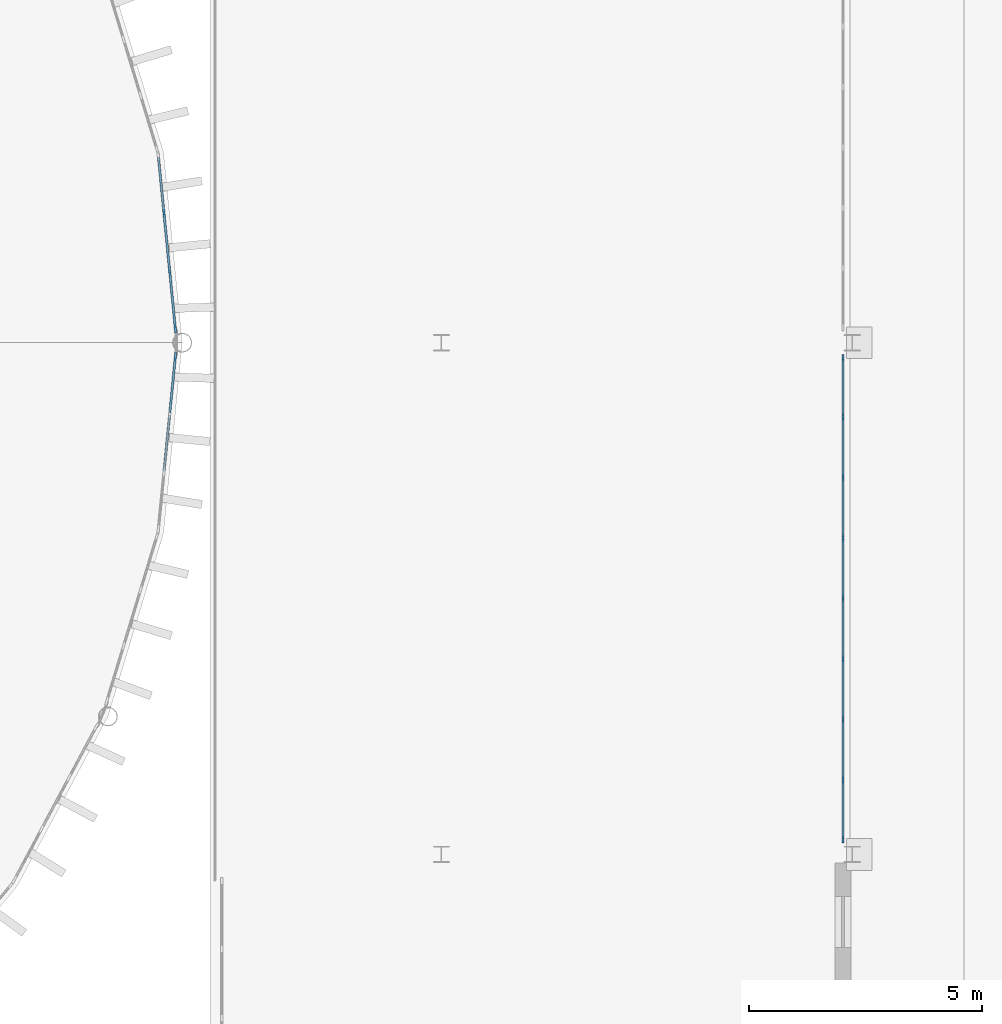
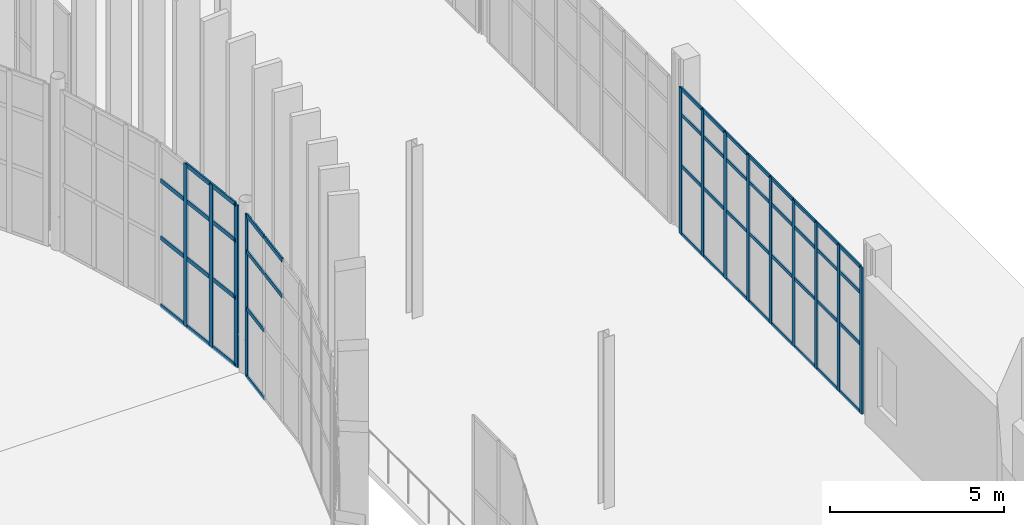
# One storey, part 58 of 139: 62 members, 3 elements without a shape of their own.
"""IFC4 building model written with IfcOpenShell, lengths in metres."""

from ifc_helpers import new_model, si_unit, direction, frame, origin, origin_2d, place, context, subcontext, project, spatial, rectangle, extrude, material, layer, layer_set, material_profile, profile_set, type_object, element, aggregate, save


model = new_model("IFC4")

# Units and contexts
model_context = context("Model", 3, precision=1e-05, world=origin(), true_north=direction((0.0, 1.0)))
body_context = subcontext(model_context, "Body", "Model", "MODEL_VIEW")
ifc_project = project(units=[si_unit("LENGTHUNIT", "METRE"), si_unit("AREAUNIT", "SQUARE_METRE"), si_unit("VOLUMEUNIT", "CUBIC_METRE"), si_unit("PLANEANGLEUNIT", "RADIAN"), si_unit("MASSUNIT", "GRAM", prefix="KILO")], contexts=[model_context])

# Site, building, storey
site_placement = place(None, origin())
site = spatial("IfcSite", under=ifc_project, at=site_placement, CompositionType="ELEMENT")
building_placement = place(site_placement, origin())
building = spatial("IfcBuilding", under=site, at=building_placement, Name="Yeouljin Market Hall", CompositionType="ELEMENT")
storey_placement = place(building_placement, origin())
storey = spatial("IfcBuildingStorey", under=building, at=storey_placement, Name="L00", CompositionType="ELEMENT", Elevation=0.0)

# Curtain wall, members
ifc_material_1 = material(Name="Thermally Broken Aluminium", Category="aluminium")
ifc_layer_1 = layer(ifc_material_1, 0.14990234375)
ifc_layer_set_1 = layer_set([ifc_layer_1], Name="Thermally Broken Aluminium")
curtain_wall_type_1 = type_object("IfcCurtainWallType", Name="CW_WingStorefront_System", PredefinedType="USERDEFINED", material=ifc_layer_set_1)
curtain_wall_1_placement = place(storey_placement, origin())
curtain_wall_1 = element("IfcCurtainWall", 1, at=curtain_wall_1_placement, inside=storey, type_object=curtain_wall_type_1, Name="Curtain wall CW-V3E-L00-4", ObjectType="CURTAIN WALL", PredefinedType="USERDEFINED")
ifc_material_2 = material(Name="Thermally Broken Aluminium", Category="aluminium")
ifc_material_profile_1 = material_profile(ifc_material_2, rectangle(XDim=0.048095703125, YDim=0.14990234375, at=origin_2d()), Name="CW-MULL-48x150")
ifc_profile_set_1 = profile_set([ifc_material_profile_1], Name="Thermally Broken Aluminium")
member_type_1 = type_object("IfcMemberType", Name="CWMullion_48x150", PredefinedType="MULLION", material=ifc_profile_set_1)
member_1_placement = place(storey_placement, frame((176.199951171875, 56.676025390625, 0.0), z_axis=(0.0, 0.0, 1.0), x_axis=(1.0, 0.0, 0.0)))
member_1 = element("IfcMember", 2, at=member_1_placement, type_object=member_type_1, Name="CW-04 mullion 1", PredefinedType="MULLION", context=body_context, shape_type="SweptSolid", body=[
    extrude(rectangle(XDim=0.048095703125, YDim=0.14990234375, at=origin_2d()), origin(), (0.0, 0.0, 1.0), 5.1201171875),
])
member_2_placement = place(storey_placement, frame((176.199951171875, 55.39990234375, 0.0), z_axis=(0.0, 0.0, 1.0), x_axis=(1.0, 0.0, 0.0)))
member_2 = element("IfcMember", 3, at=member_2_placement, type_object=member_type_1, Name="CW-04 mullion 2", PredefinedType="MULLION", context=body_context, shape_type="SweptSolid", body=[
    extrude(rectangle(XDim=0.048095703125, YDim=0.14990234375, at=origin_2d()), origin(), (0.0, 0.0, 1.0), 5.1201171875),
])
member_3_placement = place(storey_placement, frame((176.199951171875, 54.10009765625, 0.0), z_axis=(0.0, 0.0, 1.0), x_axis=(1.0, 0.0, 0.0)))
member_3 = element("IfcMember", 4, at=member_3_placement, type_object=member_type_1, Name="CW-04 mullion 3", PredefinedType="MULLION", context=body_context, shape_type="SweptSolid", body=[
    extrude(rectangle(XDim=0.048095703125, YDim=0.14990234375, at=origin_2d()), origin(), (0.0, 0.0, 1.0), 5.1201171875),
])
member_4_placement = place(storey_placement, frame((176.199951171875, 52.800048828125, 0.0), z_axis=(0.0, 0.0, 1.0), x_axis=(1.0, 0.0, 0.0)))
member_4 = element("IfcMember", 5, at=member_4_placement, type_object=member_type_1, Name="CW-04 mullion 4", PredefinedType="MULLION", context=body_context, shape_type="SweptSolid", body=[
    extrude(rectangle(XDim=0.048095703125, YDim=0.14990234375, at=origin_2d()), origin(), (0.0, 0.0, 1.0), 5.1201171875),
])
member_5_placement = place(storey_placement, frame((176.199951171875, 51.5, 0.0), z_axis=(0.0, 0.0, 1.0), x_axis=(1.0, 0.0, 0.0)))
member_5 = element("IfcMember", 6, at=member_5_placement, type_object=member_type_1, Name="CW-04 mullion 5", PredefinedType="MULLION", context=body_context, shape_type="SweptSolid", body=[
    extrude(rectangle(XDim=0.048095703125, YDim=0.14990234375, at=origin_2d()), origin(), (0.0, 0.0, 1.0), 5.1201171875),
])
member_6_placement = place(storey_placement, frame((176.199951171875, 50.199951171875, 0.0), z_axis=(0.0, 0.0, 1.0), x_axis=(1.0, 0.0, 0.0)))
member_6 = element("IfcMember", 7, at=member_6_placement, type_object=member_type_1, Name="CW-04 mullion 6", PredefinedType="MULLION", context=body_context, shape_type="SweptSolid", body=[
    extrude(rectangle(XDim=0.048095703125, YDim=0.14990234375, at=origin_2d()), origin(), (0.0, 0.0, 1.0), 5.1201171875),
])
member_7_placement = place(storey_placement, frame((176.199951171875, 48.89990234375, 0.0), z_axis=(0.0, 0.0, 1.0), x_axis=(1.0, 0.0, 0.0)))
member_7 = element("IfcMember", 8, at=member_7_placement, type_object=member_type_1, Name="CW-04 mullion 7", PredefinedType="MULLION", context=body_context, shape_type="SweptSolid", body=[
    extrude(rectangle(XDim=0.048095703125, YDim=0.14990234375, at=origin_2d()), origin(), (0.0, 0.0, 1.0), 5.1201171875),
])
member_8_placement = place(storey_placement, frame((176.199951171875, 47.60009765625, 0.0), z_axis=(0.0, 0.0, 1.0), x_axis=(1.0, 0.0, 0.0)))
member_8 = element("IfcMember", 9, at=member_8_placement, type_object=member_type_1, Name="CW-04 mullion 8", PredefinedType="MULLION", context=body_context, shape_type="SweptSolid", body=[
    extrude(rectangle(XDim=0.048095703125, YDim=0.14990234375, at=origin_2d()), origin(), (0.0, 0.0, 1.0), 5.1201171875),
])
member_9_placement = place(storey_placement, frame((176.199951171875, 46.323974609375, 0.0), z_axis=(0.0, 0.0, 1.0), x_axis=(1.0, 0.0, 0.0)))
member_9 = element("IfcMember", 10, at=member_9_placement, type_object=member_type_1, Name="CW-04 mullion 9", PredefinedType="MULLION", context=body_context, shape_type="SweptSolid", body=[
    extrude(rectangle(XDim=0.048095703125, YDim=0.14990234375, at=origin_2d()), origin(), (0.0, 0.0, 1.0), 5.1201171875),
])

# Curtain wall, member
ifc_material_3 = material(Name="Thermally Broken Aluminium", Category="aluminium")
ifc_layer_2 = layer(ifc_material_3, 0.179931640625)
ifc_layer_set_2 = layer_set([ifc_layer_2], Name="Thermally Broken Aluminium")
curtain_wall_type_2 = type_object("IfcCurtainWallType", Name="CW_ApseCurved_System", PredefinedType="USERDEFINED", material=ifc_layer_set_2)
curtain_wall_2_placement = place(storey_placement, origin())
curtain_wall_2 = element("IfcCurtainWall", 11, at=curtain_wall_2_placement, inside=storey, type_object=curtain_wall_type_2, Name="Curtain wall CW-AP-EL00-08", ObjectType="CURTAIN WALL", PredefinedType="USERDEFINED")
ifc_material_4 = material(Name="Thermally Broken Aluminium", Category="aluminium")
ifc_material_profile_2 = material_profile(ifc_material_4, rectangle(XDim=0.048095703125, YDim=0.179931640625, at=origin_2d()), Name="CW-MULL-48x180")
ifc_profile_set_2 = profile_set([ifc_material_profile_2], Name="Thermally Broken Aluminium")
member_type_2 = type_object("IfcMemberType", Name="CWMullion_48x180", PredefinedType="MULLION", material=ifc_profile_set_2)
member_10_placement = place(storey_placement, frame((161.850341796875, 56.697509765625, 0.0), z_axis=(0.0, 0.0, 1.0), x_axis=(0.995183051807, -0.09803414403, 0.0)))
member_10 = element("IfcMember", 12, at=member_10_placement, type_object=member_type_2, Name="CW-03 mullion 1", PredefinedType="MULLION", context=body_context, shape_type="SweptSolid", body=[
    extrude(rectangle(XDim=0.048095703125, YDim=0.179931640625, at=origin_2d()), origin(), (0.0, 0.0, 1.0), 5.679931640625),
])

# Curtain wall, members
curtain_wall_3_placement = place(storey_placement, origin())
curtain_wall_3 = element("IfcCurtainWall", 13, at=curtain_wall_3_placement, inside=storey, type_object=curtain_wall_type_2, Name="Curtain wall CW-AP-EL00-09", ObjectType="CURTAIN WALL", PredefinedType="USERDEFINED")
member_11_placement = place(storey_placement, frame((161.60595703125, 59.781982421875, 0.0), z_axis=(0.0, 0.0, 1.0), x_axis=(0.995183051807, 0.09803414403, 0.0)))
member_11 = element("IfcMember", 14, at=member_11_placement, type_object=member_type_2, Name="CW-03 mullion 2", PredefinedType="MULLION", context=body_context, shape_type="SweptSolid", body=[
    extrude(rectangle(XDim=0.048095703125, YDim=0.179931640625, at=origin_2d()), origin(), (0.0, 0.0, 1.0), 5.679931640625),
])
member_12_placement = place(storey_placement, frame((161.729248046875, 58.5302734375, 0.0), z_axis=(0.0, 0.0, 1.0), x_axis=(0.995183051807, 0.09803414403, 0.0)))
member_12 = element("IfcMember", 15, at=member_12_placement, type_object=member_type_2, Name="CW-03 mullion 3", PredefinedType="MULLION", context=body_context, shape_type="SweptSolid", body=[
    extrude(rectangle(XDim=0.048095703125, YDim=0.179931640625, at=origin_2d()), origin(), (0.0, 0.0, 1.0), 5.679931640625),
])
member_13_placement = place(storey_placement, frame((161.850341796875, 57.302490234375, 0.0), z_axis=(0.0, 0.0, 1.0), x_axis=(0.995183051807, 0.09803414403, 0.0)))
member_13 = element("IfcMember", 16, at=member_13_placement, type_object=member_type_2, Name="CW-03 mullion 4", PredefinedType="MULLION", context=body_context, shape_type="SweptSolid", body=[
    extrude(rectangle(XDim=0.048095703125, YDim=0.179931640625, at=origin_2d()), origin(), (0.0, 0.0, 1.0), 5.679931640625),
])

# Member
ifc_material_5 = material(Name="Thermally Broken Aluminium", Category="aluminium")
ifc_material_profile_3 = material_profile(ifc_material_5, rectangle(XDim=0.048095703125, YDim=0.1201171875, at=origin_2d()), Name="CW-TRAN-48x120")
ifc_profile_set_3 = profile_set([ifc_material_profile_3], Name="Thermally Broken Aluminium")
member_type_3 = type_object("IfcMemberType", Name="CWTransom_48x120", PredefinedType="USERDEFINED", material=ifc_profile_set_3)
member_14_placement = place(storey_placement, frame((176.199951171875, 56.652099609375, 0.02392578125), z_axis=(0.0, -1.0, 0.0), x_axis=(1.0, 0.0, 0.0)))
member_14 = element("IfcMember", 17, at=member_14_placement, type_object=member_type_3, Name="CW-04 transom 1.1", ObjectType="TRANSOM", PredefinedType="USERDEFINED", context=body_context, shape_type="SweptSolid", body=[
    extrude(rectangle(XDim=0.048095703125, YDim=0.1201171875, at=origin_2d()), origin(), (0.0, 0.0, 1.0), 1.22802734375),
])

member_15_placement = place(storey_placement, frame((176.199951171875, 56.652099609375, 2.39990234375), z_axis=(0.0, -1.0, 0.0), x_axis=(1.0, 0.0, 0.0)))
member_15 = element("IfcMember", 18, at=member_15_placement, type_object=member_type_3, Name="CW-04 transom 1.2", ObjectType="TRANSOM", PredefinedType="USERDEFINED", context=body_context, shape_type="SweptSolid", body=[
    extrude(rectangle(XDim=0.048095703125, YDim=0.1201171875, at=origin_2d()), origin(), (0.0, 0.0, 1.0), 1.22802734375),
])

member_16_placement = place(storey_placement, frame((176.199951171875, 56.652099609375, 4.199951171875), z_axis=(0.0, -1.0, 0.0), x_axis=(1.0, 0.0, 0.0)))
member_16 = element("IfcMember", 19, at=member_16_placement, type_object=member_type_3, Name="CW-04 transom 1.3", ObjectType="TRANSOM", PredefinedType="USERDEFINED", context=body_context, shape_type="SweptSolid", body=[
    extrude(rectangle(XDim=0.048095703125, YDim=0.1201171875, at=origin_2d()), origin(), (0.0, 0.0, 1.0), 1.22802734375),
])

member_17_placement = place(storey_placement, frame((176.199951171875, 56.652099609375, 5.095947265625), z_axis=(0.0, -1.0, 0.0), x_axis=(1.0, 0.0, 0.0)))
member_17 = element("IfcMember", 20, at=member_17_placement, type_object=member_type_3, Name="CW-04 transom 1.4", ObjectType="TRANSOM", PredefinedType="USERDEFINED", context=body_context, shape_type="SweptSolid", body=[
    extrude(rectangle(XDim=0.048095703125, YDim=0.1201171875, at=origin_2d()), origin(), (0.0, 0.0, 1.0), 1.22802734375),
])

member_18_placement = place(storey_placement, frame((176.199951171875, 55.3759765625, 0.02392578125), z_axis=(0.0, -1.0, 0.0), x_axis=(1.0, 0.0, 0.0)))
member_18 = element("IfcMember", 21, at=member_18_placement, type_object=member_type_3, Name="CW-04 transom 2.1", ObjectType="TRANSOM", PredefinedType="USERDEFINED", context=body_context, shape_type="SweptSolid", body=[
    extrude(rectangle(XDim=0.048095703125, YDim=0.1201171875, at=origin_2d()), origin(), (0.0, 0.0, 1.0), 1.251953125),
])

member_19_placement = place(storey_placement, frame((176.199951171875, 55.3759765625, 2.39990234375), z_axis=(0.0, -1.0, 0.0), x_axis=(1.0, 0.0, 0.0)))
member_19 = element("IfcMember", 22, at=member_19_placement, type_object=member_type_3, Name="CW-04 transom 2.2", ObjectType="TRANSOM", PredefinedType="USERDEFINED", context=body_context, shape_type="SweptSolid", body=[
    extrude(rectangle(XDim=0.048095703125, YDim=0.1201171875, at=origin_2d()), origin(), (0.0, 0.0, 1.0), 1.251953125),
])

member_20_placement = place(storey_placement, frame((176.199951171875, 55.3759765625, 4.199951171875), z_axis=(0.0, -1.0, 0.0), x_axis=(1.0, 0.0, 0.0)))
member_20 = element("IfcMember", 23, at=member_20_placement, type_object=member_type_3, Name="CW-04 transom 2.3", ObjectType="TRANSOM", PredefinedType="USERDEFINED", context=body_context, shape_type="SweptSolid", body=[
    extrude(rectangle(XDim=0.048095703125, YDim=0.1201171875, at=origin_2d()), origin(), (0.0, 0.0, 1.0), 1.251953125),
])

member_21_placement = place(storey_placement, frame((176.199951171875, 55.3759765625, 5.095947265625), z_axis=(0.0, -1.0, 0.0), x_axis=(1.0, 0.0, 0.0)))
member_21 = element("IfcMember", 24, at=member_21_placement, type_object=member_type_3, Name="CW-04 transom 2.4", ObjectType="TRANSOM", PredefinedType="USERDEFINED", context=body_context, shape_type="SweptSolid", body=[
    extrude(rectangle(XDim=0.048095703125, YDim=0.1201171875, at=origin_2d()), origin(), (0.0, 0.0, 1.0), 1.251953125),
])

member_22_placement = place(storey_placement, frame((176.199951171875, 54.075927734375, 0.02392578125), z_axis=(0.0, -1.0, 0.0), x_axis=(1.0, 0.0, 0.0)))
member_22 = element("IfcMember", 25, at=member_22_placement, type_object=member_type_3, Name="CW-04 transom 3.1", ObjectType="TRANSOM", PredefinedType="USERDEFINED", context=body_context, shape_type="SweptSolid", body=[
    extrude(rectangle(XDim=0.048095703125, YDim=0.1201171875, at=origin_2d()), origin(), (0.0, 0.0, 1.0), 1.251953125),
])

member_23_placement = place(storey_placement, frame((176.199951171875, 54.075927734375, 2.39990234375), z_axis=(0.0, -1.0, 0.0), x_axis=(1.0, 0.0, 0.0)))
member_23 = element("IfcMember", 26, at=member_23_placement, type_object=member_type_3, Name="CW-04 transom 3.2", ObjectType="TRANSOM", PredefinedType="USERDEFINED", context=body_context, shape_type="SweptSolid", body=[
    extrude(rectangle(XDim=0.048095703125, YDim=0.1201171875, at=origin_2d()), origin(), (0.0, 0.0, 1.0), 1.251953125),
])

member_24_placement = place(storey_placement, frame((176.199951171875, 54.075927734375, 4.199951171875), z_axis=(0.0, -1.0, 0.0), x_axis=(1.0, 0.0, 0.0)))
member_24 = element("IfcMember", 27, at=member_24_placement, type_object=member_type_3, Name="CW-04 transom 3.3", ObjectType="TRANSOM", PredefinedType="USERDEFINED", context=body_context, shape_type="SweptSolid", body=[
    extrude(rectangle(XDim=0.048095703125, YDim=0.1201171875, at=origin_2d()), origin(), (0.0, 0.0, 1.0), 1.251953125),
])

member_25_placement = place(storey_placement, frame((176.199951171875, 54.075927734375, 5.095947265625), z_axis=(0.0, -1.0, 0.0), x_axis=(1.0, 0.0, 0.0)))
member_25 = element("IfcMember", 28, at=member_25_placement, type_object=member_type_3, Name="CW-04 transom 3.4", ObjectType="TRANSOM", PredefinedType="USERDEFINED", context=body_context, shape_type="SweptSolid", body=[
    extrude(rectangle(XDim=0.048095703125, YDim=0.1201171875, at=origin_2d()), origin(), (0.0, 0.0, 1.0), 1.251953125),
])

member_26_placement = place(storey_placement, frame((176.199951171875, 52.77587890625, 0.02392578125), z_axis=(0.0, -1.0, 0.0), x_axis=(1.0, 0.0, 0.0)))
member_26 = element("IfcMember", 29, at=member_26_placement, type_object=member_type_3, Name="CW-04 transom 4.1", ObjectType="TRANSOM", PredefinedType="USERDEFINED", context=body_context, shape_type="SweptSolid", body=[
    extrude(rectangle(XDim=0.048095703125, YDim=0.1201171875, at=origin_2d()), origin(), (0.0, 0.0, 1.0), 1.251953125),
])

member_27_placement = place(storey_placement, frame((176.199951171875, 52.77587890625, 2.39990234375), z_axis=(0.0, -1.0, 0.0), x_axis=(1.0, 0.0, 0.0)))
member_27 = element("IfcMember", 30, at=member_27_placement, type_object=member_type_3, Name="CW-04 transom 4.2", ObjectType="TRANSOM", PredefinedType="USERDEFINED", context=body_context, shape_type="SweptSolid", body=[
    extrude(rectangle(XDim=0.048095703125, YDim=0.1201171875, at=origin_2d()), origin(), (0.0, 0.0, 1.0), 1.251953125),
])

member_28_placement = place(storey_placement, frame((176.199951171875, 52.77587890625, 4.199951171875), z_axis=(0.0, -1.0, 0.0), x_axis=(1.0, 0.0, 0.0)))
member_28 = element("IfcMember", 31, at=member_28_placement, type_object=member_type_3, Name="CW-04 transom 4.3", ObjectType="TRANSOM", PredefinedType="USERDEFINED", context=body_context, shape_type="SweptSolid", body=[
    extrude(rectangle(XDim=0.048095703125, YDim=0.1201171875, at=origin_2d()), origin(), (0.0, 0.0, 1.0), 1.251953125),
])

member_29_placement = place(storey_placement, frame((176.199951171875, 52.77587890625, 5.095947265625), z_axis=(0.0, -1.0, 0.0), x_axis=(1.0, 0.0, 0.0)))
member_29 = element("IfcMember", 32, at=member_29_placement, type_object=member_type_3, Name="CW-04 transom 4.4", ObjectType="TRANSOM", PredefinedType="USERDEFINED", context=body_context, shape_type="SweptSolid", body=[
    extrude(rectangle(XDim=0.048095703125, YDim=0.1201171875, at=origin_2d()), origin(), (0.0, 0.0, 1.0), 1.251953125),
])

member_30_placement = place(storey_placement, frame((176.199951171875, 51.47607421875, 0.02392578125), z_axis=(0.0, -1.0, 0.0), x_axis=(1.0, 0.0, 0.0)))
member_30 = element("IfcMember", 33, at=member_30_placement, type_object=member_type_3, Name="CW-04 transom 5.1", ObjectType="TRANSOM", PredefinedType="USERDEFINED", context=body_context, shape_type="SweptSolid", body=[
    extrude(rectangle(XDim=0.048095703125, YDim=0.1201171875, at=origin_2d()), origin(), (0.0, 0.0, 1.0), 1.251953125),
])

member_31_placement = place(storey_placement, frame((176.199951171875, 51.47607421875, 2.39990234375), z_axis=(0.0, -1.0, 0.0), x_axis=(1.0, 0.0, 0.0)))
member_31 = element("IfcMember", 34, at=member_31_placement, type_object=member_type_3, Name="CW-04 transom 5.2", ObjectType="TRANSOM", PredefinedType="USERDEFINED", context=body_context, shape_type="SweptSolid", body=[
    extrude(rectangle(XDim=0.048095703125, YDim=0.1201171875, at=origin_2d()), origin(), (0.0, 0.0, 1.0), 1.251953125),
])

member_32_placement = place(storey_placement, frame((176.199951171875, 51.47607421875, 4.199951171875), z_axis=(0.0, -1.0, 0.0), x_axis=(1.0, 0.0, 0.0)))
member_32 = element("IfcMember", 35, at=member_32_placement, type_object=member_type_3, Name="CW-04 transom 5.3", ObjectType="TRANSOM", PredefinedType="USERDEFINED", context=body_context, shape_type="SweptSolid", body=[
    extrude(rectangle(XDim=0.048095703125, YDim=0.1201171875, at=origin_2d()), origin(), (0.0, 0.0, 1.0), 1.251953125),
])

member_33_placement = place(storey_placement, frame((176.199951171875, 51.47607421875, 5.095947265625), z_axis=(0.0, -1.0, 0.0), x_axis=(1.0, 0.0, 0.0)))
member_33 = element("IfcMember", 36, at=member_33_placement, type_object=member_type_3, Name="CW-04 transom 5.4", ObjectType="TRANSOM", PredefinedType="USERDEFINED", context=body_context, shape_type="SweptSolid", body=[
    extrude(rectangle(XDim=0.048095703125, YDim=0.1201171875, at=origin_2d()), origin(), (0.0, 0.0, 1.0), 1.251953125),
])

member_34_placement = place(storey_placement, frame((176.199951171875, 50.176025390625, 0.02392578125), z_axis=(0.0, -1.0, 0.0), x_axis=(1.0, 0.0, 0.0)))
member_34 = element("IfcMember", 37, at=member_34_placement, type_object=member_type_3, Name="CW-04 transom 6.1", ObjectType="TRANSOM", PredefinedType="USERDEFINED", context=body_context, shape_type="SweptSolid", body=[
    extrude(rectangle(XDim=0.048095703125, YDim=0.1201171875, at=origin_2d()), origin(), (0.0, 0.0, 1.0), 1.251953125),
])

member_35_placement = place(storey_placement, frame((176.199951171875, 50.176025390625, 2.39990234375), z_axis=(0.0, -1.0, 0.0), x_axis=(1.0, 0.0, 0.0)))
member_35 = element("IfcMember", 38, at=member_35_placement, type_object=member_type_3, Name="CW-04 transom 6.2", ObjectType="TRANSOM", PredefinedType="USERDEFINED", context=body_context, shape_type="SweptSolid", body=[
    extrude(rectangle(XDim=0.048095703125, YDim=0.1201171875, at=origin_2d()), origin(), (0.0, 0.0, 1.0), 1.251953125),
])

member_36_placement = place(storey_placement, frame((176.199951171875, 50.176025390625, 4.199951171875), z_axis=(0.0, -1.0, 0.0), x_axis=(1.0, 0.0, 0.0)))
member_36 = element("IfcMember", 39, at=member_36_placement, type_object=member_type_3, Name="CW-04 transom 6.3", ObjectType="TRANSOM", PredefinedType="USERDEFINED", context=body_context, shape_type="SweptSolid", body=[
    extrude(rectangle(XDim=0.048095703125, YDim=0.1201171875, at=origin_2d()), origin(), (0.0, 0.0, 1.0), 1.251953125),
])

member_37_placement = place(storey_placement, frame((176.199951171875, 50.176025390625, 5.095947265625), z_axis=(0.0, -1.0, 0.0), x_axis=(1.0, 0.0, 0.0)))
member_37 = element("IfcMember", 40, at=member_37_placement, type_object=member_type_3, Name="CW-04 transom 6.4", ObjectType="TRANSOM", PredefinedType="USERDEFINED", context=body_context, shape_type="SweptSolid", body=[
    extrude(rectangle(XDim=0.048095703125, YDim=0.1201171875, at=origin_2d()), origin(), (0.0, 0.0, 1.0), 1.251953125),
])

member_38_placement = place(storey_placement, frame((176.199951171875, 48.8759765625, 0.02392578125), z_axis=(0.0, -1.0, 0.0), x_axis=(1.0, 0.0, 0.0)))
member_38 = element("IfcMember", 41, at=member_38_placement, type_object=member_type_3, Name="CW-04 transom 7.1", ObjectType="TRANSOM", PredefinedType="USERDEFINED", context=body_context, shape_type="SweptSolid", body=[
    extrude(rectangle(XDim=0.048095703125, YDim=0.1201171875, at=origin_2d()), origin(), (0.0, 0.0, 1.0), 1.251953125),
])

member_39_placement = place(storey_placement, frame((176.199951171875, 48.8759765625, 2.39990234375), z_axis=(0.0, -1.0, 0.0), x_axis=(1.0, 0.0, 0.0)))
member_39 = element("IfcMember", 42, at=member_39_placement, type_object=member_type_3, Name="CW-04 transom 7.2", ObjectType="TRANSOM", PredefinedType="USERDEFINED", context=body_context, shape_type="SweptSolid", body=[
    extrude(rectangle(XDim=0.048095703125, YDim=0.1201171875, at=origin_2d()), origin(), (0.0, 0.0, 1.0), 1.251953125),
])

member_40_placement = place(storey_placement, frame((176.199951171875, 48.8759765625, 4.199951171875), z_axis=(0.0, -1.0, 0.0), x_axis=(1.0, 0.0, 0.0)))
member_40 = element("IfcMember", 43, at=member_40_placement, type_object=member_type_3, Name="CW-04 transom 7.3", ObjectType="TRANSOM", PredefinedType="USERDEFINED", context=body_context, shape_type="SweptSolid", body=[
    extrude(rectangle(XDim=0.048095703125, YDim=0.1201171875, at=origin_2d()), origin(), (0.0, 0.0, 1.0), 1.251953125),
])

member_41_placement = place(storey_placement, frame((176.199951171875, 48.8759765625, 5.095947265625), z_axis=(0.0, -1.0, 0.0), x_axis=(1.0, 0.0, 0.0)))
member_41 = element("IfcMember", 44, at=member_41_placement, type_object=member_type_3, Name="CW-04 transom 7.4", ObjectType="TRANSOM", PredefinedType="USERDEFINED", context=body_context, shape_type="SweptSolid", body=[
    extrude(rectangle(XDim=0.048095703125, YDim=0.1201171875, at=origin_2d()), origin(), (0.0, 0.0, 1.0), 1.251953125),
])

member_42_placement = place(storey_placement, frame((176.199951171875, 47.575927734375, 0.02392578125), z_axis=(0.0, -1.0, 0.0), x_axis=(1.0, 0.0, 0.0)))
member_42 = element("IfcMember", 45, at=member_42_placement, type_object=member_type_3, Name="CW-04 transom 8.1", ObjectType="TRANSOM", PredefinedType="USERDEFINED", context=body_context, shape_type="SweptSolid", body=[
    extrude(rectangle(XDim=0.048095703125, YDim=0.1201171875, at=origin_2d()), origin(), (0.0, 0.0, 1.0), 1.22802734375),
])

member_43_placement = place(storey_placement, frame((176.199951171875, 47.575927734375, 2.39990234375), z_axis=(0.0, -1.0, 0.0), x_axis=(1.0, 0.0, 0.0)))
member_43 = element("IfcMember", 46, at=member_43_placement, type_object=member_type_3, Name="CW-04 transom 8.2", ObjectType="TRANSOM", PredefinedType="USERDEFINED", context=body_context, shape_type="SweptSolid", body=[
    extrude(rectangle(XDim=0.048095703125, YDim=0.1201171875, at=origin_2d()), origin(), (0.0, 0.0, 1.0), 1.22802734375),
])

member_44_placement = place(storey_placement, frame((176.199951171875, 47.575927734375, 4.199951171875), z_axis=(0.0, -1.0, 0.0), x_axis=(1.0, 0.0, 0.0)))
member_44 = element("IfcMember", 47, at=member_44_placement, type_object=member_type_3, Name="CW-04 transom 8.3", ObjectType="TRANSOM", PredefinedType="USERDEFINED", context=body_context, shape_type="SweptSolid", body=[
    extrude(rectangle(XDim=0.048095703125, YDim=0.1201171875, at=origin_2d()), origin(), (0.0, 0.0, 1.0), 1.22802734375),
])

member_45_placement = place(storey_placement, frame((176.199951171875, 47.575927734375, 5.095947265625), z_axis=(0.0, -1.0, 0.0), x_axis=(1.0, 0.0, 0.0)))
member_45 = element("IfcMember", 48, at=member_45_placement, type_object=member_type_3, Name="CW-04 transom 8.4", ObjectType="TRANSOM", PredefinedType="USERDEFINED", context=body_context, shape_type="SweptSolid", body=[
    extrude(rectangle(XDim=0.048095703125, YDim=0.1201171875, at=origin_2d()), origin(), (0.0, 0.0, 1.0), 1.22802734375),
])

aggregate(curtain_wall_1, [member_1, member_2, member_3, member_4, member_5, member_6, member_7, member_8, member_9, member_14, member_15, member_16, member_17, member_18, member_19, member_20, member_21, member_22, member_23, member_24, member_25, member_26, member_27, member_28, member_29, member_30, member_31, member_32, member_33, member_34, member_35, member_36, member_37, member_38, member_39, member_40, member_41, member_42, member_43, member_44, member_45])

ifc_material_6 = material(Name="Thermally Broken Aluminium", Category="aluminium")
ifc_material_profile_4 = material_profile(ifc_material_6, rectangle(XDim=0.048095703125, YDim=0.14990234375, at=origin_2d()), Name="CW-TRAN-48x150")
ifc_profile_set_4 = profile_set([ifc_material_profile_4], Name="Thermally Broken Aluminium")
member_type_4 = type_object("IfcMemberType", Name="CWTransom_48x150", PredefinedType="USERDEFINED", material=ifc_profile_set_4)
member_46_placement = place(storey_placement, frame((161.847900390625, 56.673583984375, 0.02392578125), z_axis=(-0.097995233106, -0.995186884102, 0.0), x_axis=(0.995186884102, -0.097995233106, 0.0)))
member_46 = element("IfcMember", 49, at=member_46_placement, type_object=member_type_4, Name="CW-03 transom 1.1", ObjectType="TRANSOM", PredefinedType="USERDEFINED", context=body_context, shape_type="SweptSolid", body=[
    extrude(rectangle(XDim=0.048095703125, YDim=0.14990234375, at=origin_2d()), origin(), (0.0, 0.0, 1.0), 1.185791015625),
])

member_47_placement = place(storey_placement, frame((161.847900390625, 56.673583984375, 2.39990234375), z_axis=(-0.097995233106, -0.995186884102, 0.0), x_axis=(0.995186884102, -0.097995233106, 0.0)))
member_47 = element("IfcMember", 50, at=member_47_placement, type_object=member_type_4, Name="CW-03 transom 1.2", ObjectType="TRANSOM", PredefinedType="USERDEFINED", context=body_context, shape_type="SweptSolid", body=[
    extrude(rectangle(XDim=0.048095703125, YDim=0.14990234375, at=origin_2d()), origin(), (0.0, 0.0, 1.0), 1.185791015625),
])

member_48_placement = place(storey_placement, frame((161.847900390625, 56.673583984375, 4.39990234375), z_axis=(-0.097995233106, -0.995186884102, 0.0), x_axis=(0.995186884102, -0.097995233106, 0.0)))
member_48 = element("IfcMember", 51, at=member_48_placement, type_object=member_type_4, Name="CW-03 transom 1.3", ObjectType="TRANSOM", PredefinedType="USERDEFINED", context=body_context, shape_type="SweptSolid", body=[
    extrude(rectangle(XDim=0.048095703125, YDim=0.14990234375, at=origin_2d()), origin(), (0.0, 0.0, 1.0), 1.185791015625),
])

member_49_placement = place(storey_placement, frame((161.847900390625, 56.673583984375, 5.656005859375), z_axis=(-0.097995233106, -0.995186884102, 0.0), x_axis=(0.995186884102, -0.097995233106, 0.0)))
member_49 = element("IfcMember", 52, at=member_49_placement, type_object=member_type_4, Name="CW-03 transom 1.4", ObjectType="TRANSOM", PredefinedType="USERDEFINED", context=body_context, shape_type="SweptSolid", body=[
    extrude(rectangle(XDim=0.048095703125, YDim=0.14990234375, at=origin_2d()), origin(), (0.0, 0.0, 1.0), 1.185791015625),
])

member_50_placement = place(storey_placement, frame((161.72705078125, 55.44580078125, 4.39990234375), z_axis=(-0.098084878045, -0.995178052762, 0.0), x_axis=(0.995178052762, -0.098084878045, 0.0)))
member_50 = element("IfcMember", 53, at=member_50_placement, type_object=member_type_4, Name="CW-03 transom 2.3", ObjectType="TRANSOM", PredefinedType="USERDEFINED", context=body_context, shape_type="SweptSolid", body=[
    extrude(rectangle(XDim=0.048095703125, YDim=0.14990234375, at=origin_2d()), origin(), (0.0, 0.0, 1.0), 1.209716796875),
])

member_51_placement = place(storey_placement, frame((161.72705078125, 55.44580078125, 5.656005859375), z_axis=(-0.098084878045, -0.995178052762, 0.0), x_axis=(0.995178052762, -0.098084878045, 0.0)))
member_51 = element("IfcMember", 54, at=member_51_placement, type_object=member_type_4, Name="CW-03 transom 2.4", ObjectType="TRANSOM", PredefinedType="USERDEFINED", context=body_context, shape_type="SweptSolid", body=[
    extrude(rectangle(XDim=0.048095703125, YDim=0.14990234375, at=origin_2d()), origin(), (0.0, 0.0, 1.0), 1.209716796875),
])

aggregate(curtain_wall_2, [member_10, member_46, member_47, member_48, member_49, member_50, member_51])

member_52_placement = place(storey_placement, frame((161.4873046875, 60.98583984375, 0.02392578125), z_axis=(0.098219244733, -0.995164800405, 0.0), x_axis=(0.995164800405, 0.098219244733, 0.0)))
member_52 = element("IfcMember", 55, at=member_52_placement, type_object=member_type_4, Name="CW-03 transom 1.1", ObjectType="TRANSOM", PredefinedType="USERDEFINED", context=body_context, shape_type="SweptSolid", body=[
    extrude(rectangle(XDim=0.048095703125, YDim=0.14990234375, at=origin_2d()), origin(), (0.0, 0.0, 1.0), 1.185546875),
])

member_53_placement = place(storey_placement, frame((161.4873046875, 60.98583984375, 2.39990234375), z_axis=(0.098219244733, -0.995164800405, 0.0), x_axis=(0.995164800405, 0.098219244733, 0.0)))
member_53 = element("IfcMember", 56, at=member_53_placement, type_object=member_type_4, Name="CW-03 transom 1.2", ObjectType="TRANSOM", PredefinedType="USERDEFINED", context=body_context, shape_type="SweptSolid", body=[
    extrude(rectangle(XDim=0.048095703125, YDim=0.14990234375, at=origin_2d()), origin(), (0.0, 0.0, 1.0), 1.185546875),
])

member_54_placement = place(storey_placement, frame((161.4873046875, 60.98583984375, 4.39990234375), z_axis=(0.098219244733, -0.995164800405, 0.0), x_axis=(0.995164800405, 0.098219244733, 0.0)))
member_54 = element("IfcMember", 57, at=member_54_placement, type_object=member_type_4, Name="CW-03 transom 1.3", ObjectType="TRANSOM", PredefinedType="USERDEFINED", context=body_context, shape_type="SweptSolid", body=[
    extrude(rectangle(XDim=0.048095703125, YDim=0.14990234375, at=origin_2d()), origin(), (0.0, 0.0, 1.0), 1.185546875),
])

member_55_placement = place(storey_placement, frame((161.6083984375, 59.758056640625, 0.02392578125), z_axis=(0.098084878045, -0.995178052762, 0.0), x_axis=(0.995178052762, 0.098084878045, 0.0)))
member_55 = element("IfcMember", 58, at=member_55_placement, type_object=member_type_4, Name="CW-03 transom 2.1", ObjectType="TRANSOM", PredefinedType="USERDEFINED", context=body_context, shape_type="SweptSolid", body=[
    extrude(rectangle(XDim=0.048095703125, YDim=0.14990234375, at=origin_2d()), origin(), (0.0, 0.0, 1.0), 1.209716796875),
])

member_56_placement = place(storey_placement, frame((161.6083984375, 59.758056640625, 2.39990234375), z_axis=(0.098084878045, -0.995178052762, 0.0), x_axis=(0.995178052762, 0.098084878045, 0.0)))
member_56 = element("IfcMember", 59, at=member_56_placement, type_object=member_type_4, Name="CW-03 transom 2.2", ObjectType="TRANSOM", PredefinedType="USERDEFINED", context=body_context, shape_type="SweptSolid", body=[
    extrude(rectangle(XDim=0.048095703125, YDim=0.14990234375, at=origin_2d()), origin(), (0.0, 0.0, 1.0), 1.209716796875),
])

member_57_placement = place(storey_placement, frame((161.6083984375, 59.758056640625, 4.39990234375), z_axis=(0.098084878045, -0.995178052762, 0.0), x_axis=(0.995178052762, 0.098084878045, 0.0)))
member_57 = element("IfcMember", 60, at=member_57_placement, type_object=member_type_4, Name="CW-03 transom 2.3", ObjectType="TRANSOM", PredefinedType="USERDEFINED", context=body_context, shape_type="SweptSolid", body=[
    extrude(rectangle(XDim=0.048095703125, YDim=0.14990234375, at=origin_2d()), origin(), (0.0, 0.0, 1.0), 1.209716796875),
])

member_58_placement = place(storey_placement, frame((161.6083984375, 59.758056640625, 5.656005859375), z_axis=(0.098084878045, -0.995178052762, 0.0), x_axis=(0.995178052762, 0.098084878045, 0.0)))
member_58 = element("IfcMember", 61, at=member_58_placement, type_object=member_type_4, Name="CW-03 transom 2.4", ObjectType="TRANSOM", PredefinedType="USERDEFINED", context=body_context, shape_type="SweptSolid", body=[
    extrude(rectangle(XDim=0.048095703125, YDim=0.14990234375, at=origin_2d()), origin(), (0.0, 0.0, 1.0), 1.209716796875),
])

member_59_placement = place(storey_placement, frame((161.731689453125, 58.506591796875, 0.02392578125), z_axis=(0.097995233106, -0.995186884102, 0.0), x_axis=(0.995186884102, 0.097995233106, 0.0)))
member_59 = element("IfcMember", 62, at=member_59_placement, type_object=member_type_4, Name="CW-03 transom 3.1", ObjectType="TRANSOM", PredefinedType="USERDEFINED", context=body_context, shape_type="SweptSolid", body=[
    extrude(rectangle(XDim=0.048095703125, YDim=0.14990234375, at=origin_2d()), origin(), (0.0, 0.0, 1.0), 1.185791015625),
])

member_60_placement = place(storey_placement, frame((161.731689453125, 58.506591796875, 2.39990234375), z_axis=(0.097995233106, -0.995186884102, 0.0), x_axis=(0.995186884102, 0.097995233106, 0.0)))
member_60 = element("IfcMember", 63, at=member_60_placement, type_object=member_type_4, Name="CW-03 transom 3.2", ObjectType="TRANSOM", PredefinedType="USERDEFINED", context=body_context, shape_type="SweptSolid", body=[
    extrude(rectangle(XDim=0.048095703125, YDim=0.14990234375, at=origin_2d()), origin(), (0.0, 0.0, 1.0), 1.185791015625),
])

member_61_placement = place(storey_placement, frame((161.731689453125, 58.506591796875, 4.39990234375), z_axis=(0.097995233106, -0.995186884102, 0.0), x_axis=(0.995186884102, 0.097995233106, 0.0)))
member_61 = element("IfcMember", 64, at=member_61_placement, type_object=member_type_4, Name="CW-03 transom 3.3", ObjectType="TRANSOM", PredefinedType="USERDEFINED", context=body_context, shape_type="SweptSolid", body=[
    extrude(rectangle(XDim=0.048095703125, YDim=0.14990234375, at=origin_2d()), origin(), (0.0, 0.0, 1.0), 1.185791015625),
])

member_62_placement = place(storey_placement, frame((161.731689453125, 58.506591796875, 5.656005859375), z_axis=(0.097995233106, -0.995186884102, 0.0), x_axis=(0.995186884102, 0.097995233106, 0.0)))
member_62 = element("IfcMember", 65, at=member_62_placement, type_object=member_type_4, Name="CW-03 transom 3.4", ObjectType="TRANSOM", PredefinedType="USERDEFINED", context=body_context, shape_type="SweptSolid", body=[
    extrude(rectangle(XDim=0.048095703125, YDim=0.14990234375, at=origin_2d()), origin(), (0.0, 0.0, 1.0), 1.185791015625),
])

aggregate(curtain_wall_3, [member_11, member_12, member_13, member_52, member_53, member_54, member_55, member_56, member_57, member_58, member_59, member_60, member_61, member_62])

save(model, "model.ifc")
